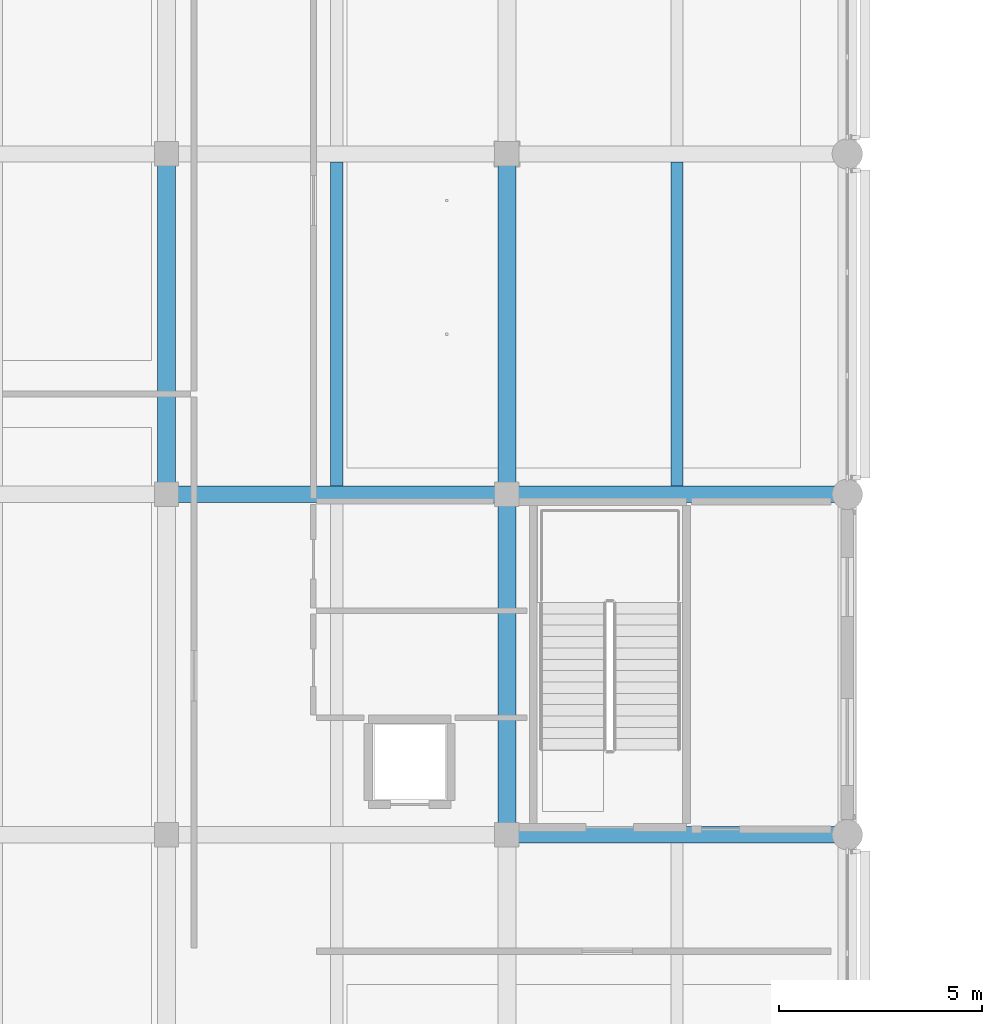
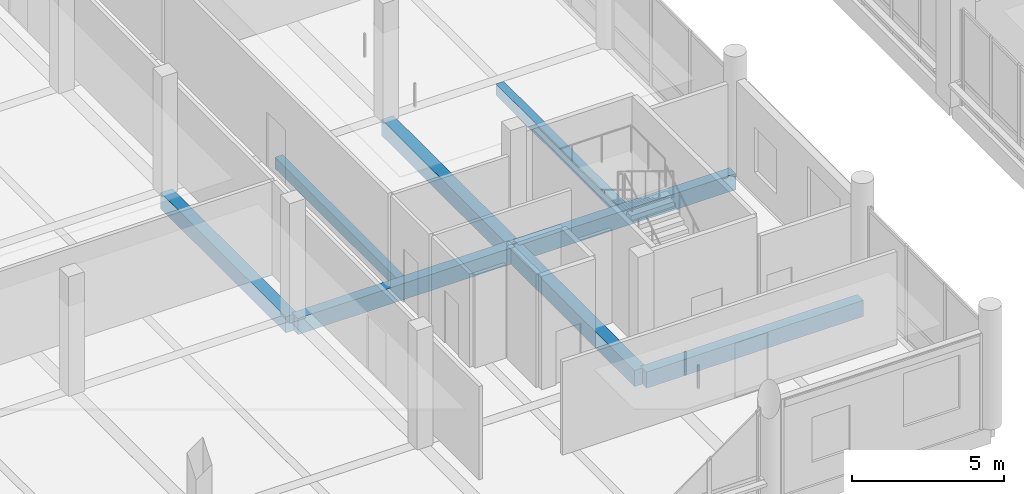
# One storey, part 5 of 122: 8 beams.
"""IFC4 building model written with IfcOpenShell, lengths in metres."""

from ifc_helpers import new_model, si_unit, direction, frame, origin, origin_2d, place, context, subcontext, project, spatial, rectangle, extrude, material, material_profile, profile_set, type_object, element, save


model = new_model("IFC4")

# Units and contexts
model_context = context("Model", 3, precision=1e-05, world=origin(), true_north=direction((0.0, 1.0)))
body_context = subcontext(model_context, "Body", "Model", "MODEL_VIEW")
ifc_project = project(units=[si_unit("LENGTHUNIT", "METRE"), si_unit("AREAUNIT", "SQUARE_METRE"), si_unit("VOLUMEUNIT", "CUBIC_METRE"), si_unit("PLANEANGLEUNIT", "RADIAN"), si_unit("MASSUNIT", "GRAM", prefix="KILO")], contexts=[model_context])

# Site, building, storey
site_placement = place(None, origin())
site = spatial("IfcSite", under=ifc_project, at=site_placement, CompositionType="ELEMENT")
building_placement = place(site_placement, origin())
building = spatial("IfcBuilding", under=site, at=building_placement, Name="Telukmera Botanical Conservatory", CompositionType="ELEMENT")
storey_placement = place(building_placement, frame((0.0, 0.0, 10.199951171875)))
storey = spatial("IfcBuildingStorey", under=building, at=storey_placement, Name="L02", CompositionType="ELEMENT", Elevation=10.199951171875)

# Beams
ifc_material = material(Name="Concrete C40/50", Category="concrete")
ifc_material_profile_1 = material_profile(ifc_material, rectangle(XDim=0.449951171875, YDim=0.64990234375, at=origin_2d()), Name="RC 450x650")
ifc_profile_set_1 = profile_set([ifc_material_profile_1], Name="Concrete C40/50")
beam_type_1 = type_object("IfcBeamType", Name="Beam_B16", PredefinedType="BEAM", material=ifc_profile_set_1)
for number, where, z_axis, x_axis, name in (
    (1, (25.199951171875, 34.47998046875, -0.324951171875), (0.0, 1.0, 0.0), (-1.0, 0.0, 0.0), "Visitor Wing Transverse Beam L02"),
    (2, (33.60009765625, 26.080078125, -0.324951171875), (0.0, 1.0, 0.0), (-1.0, 0.0, 0.0), "Visitor Wing Transverse Beam L02"),
    (3, (33.60009765625, 34.47998046875, -0.324951171875), (0.0, 1.0, 0.0), (-1.0, 0.0, 0.0), "Visitor Wing Transverse Beam L02"),
):
    element("IfcBeam", number, at=place(storey_placement, frame(where, z_axis=z_axis, x_axis=x_axis)), inside=storey, type_object=beam_type_1, Name=name, PredefinedType="BEAM", context=body_context, shape_type="SweptSolid", body=[
        extrude(rectangle(XDim=0.449951171875, YDim=0.64990234375, at=origin_2d()), origin(), (0.0, 0.0, 1.0), 8.239990234375),
    ])
ifc_material_profile_2 = material_profile(ifc_material, rectangle(XDim=0.300048828125, YDim=0.449951171875, at=origin_2d()), Name="RC 300x450")
ifc_profile_set_2 = profile_set([ifc_material_profile_2], Name="Concrete C40/50")
beam_type_2 = type_object("IfcBeamType", Name="Beam_B25", PredefinedType="JOIST", material=ifc_profile_set_2)
for number, where, z_axis, x_axis, name in (
    (4, (29.39990234375, 34.60009765625, -0.224853515625), (0.0, 1.0, 0.0), (-1.0, 0.0, 0.0), "Visitor Wing Floor Joist L02"),
    (5, (37.800048828125, 34.60009765625, -0.224853515625), (0.0, 1.0, 0.0), (-1.0, 0.0, 0.0), "Visitor Wing Floor Joist L02"),
):
    element("IfcBeam", number, at=place(storey_placement, frame(where, z_axis=z_axis, x_axis=x_axis)), inside=storey, type_object=beam_type_2, Name=name, PredefinedType="JOIST", context=body_context, shape_type="SweptSolid", body=[
        extrude(rectangle(XDim=0.300048828125, YDim=0.449951171875, at=origin_2d()), origin(), (0.0, 0.0, 1.0), 8.0),
    ])
ifc_material_profile_3 = material_profile(ifc_material, rectangle(XDim=0.39990234375, YDim=0.64990234375, at=origin_2d()), Name="RC 400x650")
ifc_profile_set_3 = profile_set([ifc_material_profile_3], Name="Concrete C40/50")
beam_type_3 = type_object("IfcBeamType", Name="Beam_B8", PredefinedType="BEAM", material=ifc_profile_set_3)
for number, where, z_axis, x_axis, name in (
    (6, (33.679931640625, 26.0, -0.324951171875), (1.0, 0.0, 0.0), (0.0, 1.0, 0.0), "Visitor Wing Grid Beam L02"),
    (7, (25.280029296875, 34.39990234375, -0.324951171875), (1.0, 0.0, 0.0), (0.0, 1.0, 0.0), "Visitor Wing Grid Beam L02"),
    (8, (33.679931640625, 34.39990234375, -0.324951171875), (1.0, 0.0, 0.0), (0.0, 1.0, 0.0), "Visitor Wing Grid Beam L02"),
):
    element("IfcBeam", number, at=place(storey_placement, frame(where, z_axis=z_axis, x_axis=x_axis)), inside=storey, type_object=beam_type_3, Name=name, PredefinedType="BEAM", context=body_context, shape_type="SweptSolid", body=[
        extrude(rectangle(XDim=0.39990234375, YDim=0.64990234375, at=origin_2d()), origin(), (0.0, 0.0, 1.0), 8.239990234375),
    ])

save(model, "model.ifc")
